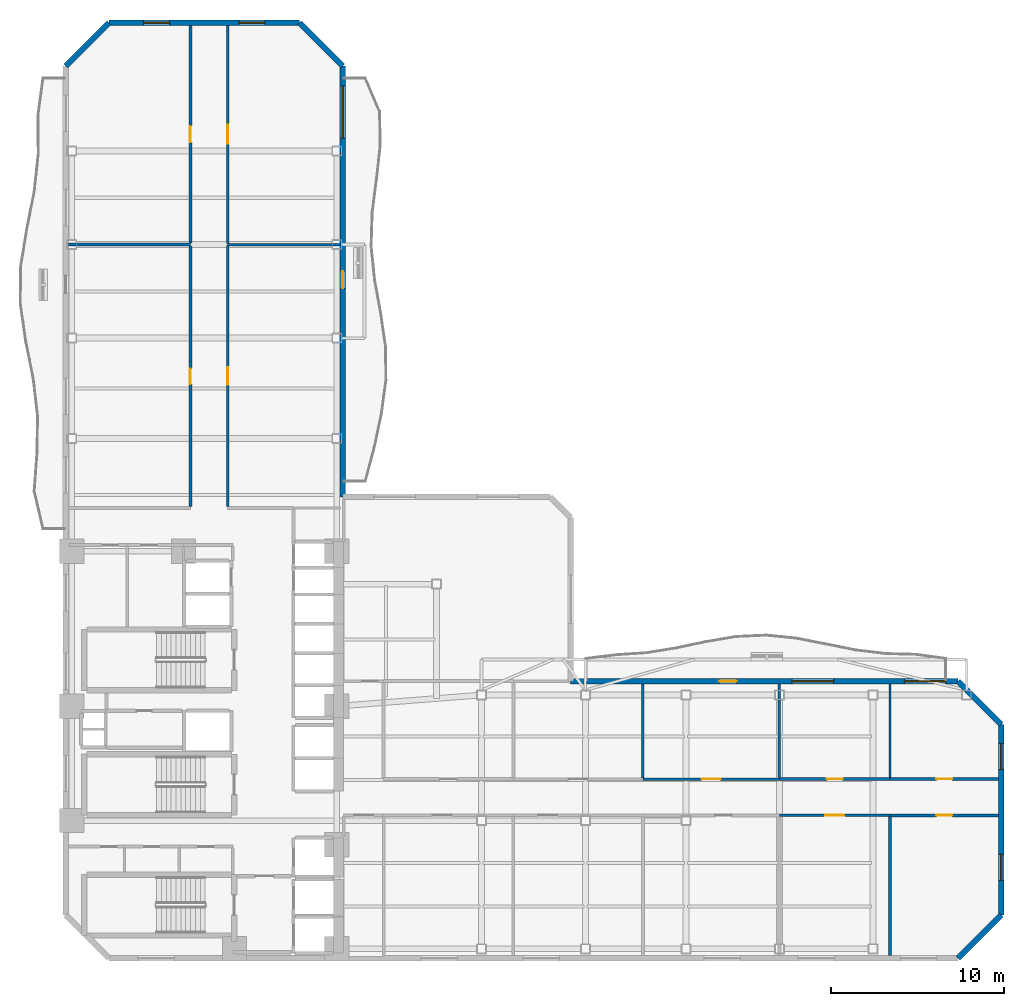
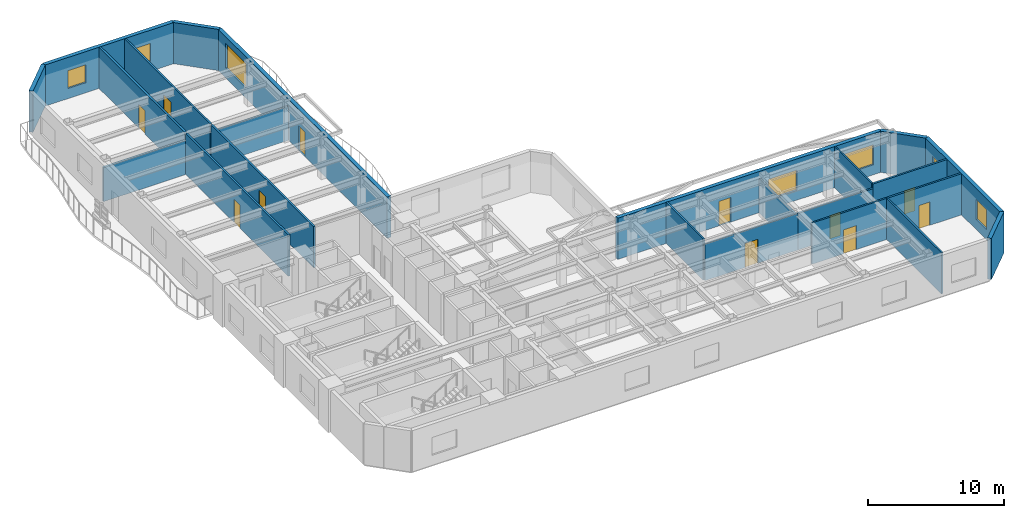
# One storey, part 6 of 10: 23 walls, 11 doors, 7 windows, 18 openings.
"""IFC4 building model written with IfcOpenShell, lengths in metres."""

from ifc_helpers import new_model, si_unit, direction, frame, frame_2d, origin, place, context, subcontext, project, spatial, rectangle, extrude, material, layer, layer_set, type_object, element, fill, save


model = new_model("IFC4")

# Units and contexts
model_context = context("Model", 3, precision=1e-05, world=origin(), true_north=direction((0.0, 1.0)))
body_context = subcontext(model_context, "Body", "Model", "MODEL_VIEW")
ifc_project = project(units=[si_unit("LENGTHUNIT", "METRE"), si_unit("AREAUNIT", "SQUARE_METRE"), si_unit("VOLUMEUNIT", "CUBIC_METRE"), si_unit("PLANEANGLEUNIT", "RADIAN"), si_unit("MASSUNIT", "GRAM", prefix="KILO")], contexts=[model_context])

# Site, building, storey
site_placement = place(None, origin())
site = spatial("IfcSite", under=ifc_project, at=site_placement, CompositionType="ELEMENT")
building_placement = place(site_placement, origin())
building = spatial("IfcBuilding", under=site, at=building_placement, Name="Mawjaban Terraces University", CompositionType="ELEMENT")
storey_placement = place(building_placement, frame((0.0, 0.0, 66.10009765625)))
storey = spatial("IfcBuildingStorey", under=building, at=storey_placement, Name="L15", CompositionType="ELEMENT", Elevation=66.10009765625)

# Wall
ifc_material_1 = material(Name="Acoustic masonry blockwork", Category="masonry")
ifc_layer_1 = layer(ifc_material_1, 0.179931640625)
ifc_layer_set_1 = layer_set([ifc_layer_1], Name="Acoustic masonry blockwork")
wall_type_1 = type_object("IfcWallType", Name="AcousticStudioWall_180", PredefinedType="PARTITIONING", material=ifc_layer_set_1)
wall_1_placement = place(storey_placement, frame((29.199951171875, 41.199951171875, 0.0), z_axis=(0.0, 0.0, 1.0), x_axis=(-1.0, 0.0, 0.0)))
element("IfcWall", 1, at=wall_1_placement, inside=storey, type_object=wall_type_1, Name="L15 Departmental Office 12 Partition 10", PredefinedType="PARTITIONING", context=body_context, shape_type="SweptSolid", body=[
    extrude(rectangle(XDim=7.044921875, YDim=0.179931640625, at=frame_2d((3.5224609375, 0.0))), origin(), (0.0, 0.0, 1.0), 3.054931640625),
])

# Wall, opening, door
wall_2_placement = place(storey_placement, frame((29.199951171875, 53.844970703125, 0.0), z_axis=(0.0, 0.0, 1.0), x_axis=(0.0, -1.0, 0.0)))
wall_2 = element("IfcWall", 2, at=wall_2_placement, inside=storey, type_object=wall_type_1, Name="L15 North Academic Spine Corridor Partition 36", PredefinedType="PARTITIONING", context=body_context, shape_type="SweptSolid", body=[
    extrude(rectangle(XDim=12.56005859375, YDim=0.179931640625, at=frame_2d((6.280029296875, 0.0))), origin(), (0.0, 0.0, 1.0), 3.68994140625),
])
opening_1_placement = place(wall_2_placement, frame((5.804931640625, 0.0, 0.0)))
opening_1 = element("IfcOpeningElement", 3, at=opening_1_placement, cuts=wall_2, Name="Opening ID-095", PredefinedType="OPENING", context=body_context, shape_type="SweptSolid", body=[
    extrude(rectangle(XDim=0.949951171875, YDim=2.10009765625, at=frame_2d((0.47509765625, 1.050048828125))), frame((0.0, 0.099853515625, 0.0), z_axis=(0.0, -1.0, 0.0), x_axis=(1.0, 0.0, 0.0)), (0.0, 0.0, 1.0), 0.199951171875),
])
ifc_material_2 = material(Name="Powder-coated steel frame and solid acoustic timber leaf", Category="steel")
door_type_1 = type_object("IfcDoorType", Name="StudioDoor_950x2100", OperationType="NOTDEFINED", PredefinedType="DOOR", material=ifc_material_2)
door_1_placement = place(opening_1_placement, origin())
door_1 = element("IfcDoor", 4, at=door_1_placement, inside=storey, type_object=door_type_1, Name="L15 Design Studio 14 Door", OperationType="SINGLE_SWING_RIGHT", OverallHeight=2.10009765625, OverallWidth=0.949951171875, PredefinedType="DOOR", context=body_context, shape_type="SweptSolid", body=[
    extrude(rectangle(XDim=0.949951171875, YDim=2.10009765625, at=frame_2d((0.47509765625, 1.050048828125))), frame((0.0, 0.02490234375, 0.0), z_axis=(0.0, -1.0, 0.0), x_axis=(1.0, 0.0, 0.0)), (0.0, 0.0, 1.0), 0.050048828125),
])
fill(opening_1, door_1)

ifc_material_3 = material(Name="Fire-rated gypsum board on steel stud", Category="steel")
ifc_layer_2 = layer(ifc_material_3, 0.159912109375)
ifc_layer_set_2 = layer_set([ifc_layer_2], Name="Fire-rated gypsum board on steel stud")
wall_type_2 = type_object("IfcWallType", Name="CorridorPartition_160", PredefinedType="PARTITIONING", material=ifc_layer_set_2)
wall_3_placement = place(storey_placement, frame((69.580078125, 8.25, 0.0), z_axis=(0.0, 0.0, 1.0), x_axis=(1.0, 0.0, 0.0)))
wall_3 = element("IfcWall", 5, at=wall_3_placement, inside=storey, type_object=wall_type_2, Name="L15 East Academic Spine Corridor Partition 27", PredefinedType="PARTITIONING", context=body_context, shape_type="SweptSolid", body=[
    extrude(rectangle(XDim=6.264892578125, YDim=0.159912109375, at=frame_2d((3.13232421875, 0.0))), origin(), (0.0, 0.0, 1.0), 3.68994140625),
])
opening_2_placement = place(wall_3_placement, frame((2.68310546875, 0.0, 0.0)))
opening_2 = element("IfcOpeningElement", 6, at=opening_2_placement, cuts=wall_3, Name="Opening ID-090", PredefinedType="OPENING", context=body_context, shape_type="SweptSolid", body=[
    extrude(rectangle(XDim=0.89990234375, YDim=2.10009765625, at=frame_2d((0.449951171875, 1.050048828125))), frame((0.0, 0.08984375, 0.0), z_axis=(0.0, -1.0, 0.0), x_axis=(1.0, 0.0, 0.0)), (0.0, 0.0, 1.0), 0.179931640625),
])
door_type_2 = type_object("IfcDoorType", Name="OfficeDoor_900x2100", OperationType="NOTDEFINED", PredefinedType="DOOR", material=ifc_material_2)
door_2_placement = place(opening_2_placement, origin())
door_2 = element("IfcDoor", 7, at=door_2_placement, inside=storey, type_object=door_type_2, Name="L15 Student Tea Pantry 10 Door", OperationType="SINGLE_SWING_RIGHT", OverallHeight=2.10009765625, OverallWidth=0.89990234375, PredefinedType="DOOR", context=body_context, shape_type="SweptSolid", body=[
    extrude(rectangle(XDim=0.89990234375, YDim=2.10009765625, at=frame_2d((0.449951171875, 1.050048828125))), frame((0.0, 0.02490234375, 0.0), z_axis=(0.0, -1.0, 0.0), x_axis=(1.0, 0.0, 0.0)), (0.0, 0.0, 1.0), 0.050048828125),
])
fill(opening_2, door_2)

wall_4_placement = place(storey_placement, frame((69.580078125, 10.35009765625, 0.0), z_axis=(0.0, 0.0, 1.0), x_axis=(-1.0, 0.0, 0.0)))
wall_4 = element("IfcWall", 8, at=wall_4_placement, inside=storey, type_object=wall_type_2, Name="L15 East Academic Spine Corridor Partition 28", PredefinedType="PARTITIONING", context=body_context, shape_type="SweptSolid", body=[
    extrude(rectangle(XDim=6.380126953125, YDim=0.159912109375, at=frame_2d((3.18994140625, 0.0))), origin(), (0.0, 0.0, 1.0), 3.27685546875),
])
opening_3_placement = place(wall_4_placement, frame((2.739990234375, 0.0, 0.0)))
opening_3 = element("IfcOpeningElement", 9, at=opening_3_placement, cuts=wall_4, Name="Opening ID-090", PredefinedType="OPENING", context=body_context, shape_type="SweptSolid", body=[
    extrude(rectangle(XDim=0.89990234375, YDim=2.10009765625, at=frame_2d((0.449951171875, 1.050048828125))), frame((0.0, 0.08984375, 0.0), z_axis=(0.0, -1.0, 0.0), x_axis=(1.0, 0.0, 0.0)), (0.0, 0.0, 1.0), 0.179931640625),
])
door_3_placement = place(opening_3_placement, origin())
door_3 = element("IfcDoor", 10, at=door_3_placement, inside=storey, type_object=door_type_2, Name="L15 Student Tea Pantry 9 Door", OperationType="SINGLE_SWING_LEFT", OverallHeight=2.10009765625, OverallWidth=0.89990234375, PredefinedType="DOOR", context=body_context, shape_type="SweptSolid", body=[
    extrude(rectangle(XDim=0.89990234375, YDim=2.10009765625, at=frame_2d((0.449951171875, 1.050048828125))), frame((0.0, 0.02490234375, 0.0), z_axis=(0.0, -1.0, 0.0), x_axis=(1.0, 0.0, 0.0)), (0.0, 0.0, 1.0), 0.050048828125),
])
fill(opening_3, door_3)

wall_5_placement = place(storey_placement, frame((75.844970703125, 10.35009765625, 0.0), z_axis=(0.0, 0.0, 1.0), x_axis=(-1.0, 0.0, 0.0)))
wall_5 = element("IfcWall", 11, at=wall_5_placement, inside=storey, type_object=wall_type_2, Name="L15 East Academic Spine Corridor Partition 29", PredefinedType="PARTITIONING", context=body_context, shape_type="SweptSolid", body=[
    extrude(rectangle(XDim=6.264892578125, YDim=0.159912109375, at=frame_2d((3.13232421875, 0.0))), origin(), (0.0, 0.0, 1.0), 3.68994140625),
])
opening_4_placement = place(wall_5_placement, frame((2.68310546875, 0.0, 0.0)))
opening_4 = element("IfcOpeningElement", 12, at=opening_4_placement, cuts=wall_5, Name="Opening ID-090", PredefinedType="OPENING", context=body_context, shape_type="SweptSolid", body=[
    extrude(rectangle(XDim=0.89990234375, YDim=2.10009765625, at=frame_2d((0.449951171875, 1.050048828125))), frame((0.0, 0.08984375, 0.0), z_axis=(0.0, -1.0, 0.0), x_axis=(1.0, 0.0, 0.0)), (0.0, 0.0, 1.0), 0.179931640625),
])
door_4_placement = place(opening_4_placement, origin())
door_4 = element("IfcDoor", 13, at=door_4_placement, inside=storey, type_object=door_type_2, Name="L15 Faculty Office 11 Door", OperationType="SINGLE_SWING_LEFT", OverallHeight=2.10009765625, OverallWidth=0.89990234375, PredefinedType="DOOR", context=body_context, shape_type="SweptSolid", body=[
    extrude(rectangle(XDim=0.89990234375, YDim=2.10009765625, at=frame_2d((0.449951171875, 1.050048828125))), frame((0.0, 0.02490234375, 0.0), z_axis=(0.0, -1.0, 0.0), x_axis=(1.0, 0.0, 0.0)), (0.0, 0.0, 1.0), 0.050048828125),
])
fill(opening_4, door_4)

wall_6_placement = place(storey_placement, frame((29.199951171875, 41.114990234375, 0.0), z_axis=(0.0, 0.0, 1.0), x_axis=(0.0, -1.0, 0.0)))
wall_6 = element("IfcWall", 14, at=wall_6_placement, inside=storey, type_object=wall_type_2, Name="L15 North Academic Spine Corridor Partition 35", PredefinedType="PARTITIONING", context=body_context, shape_type="SweptSolid", body=[
    extrude(rectangle(XDim=15.0400390625, YDim=0.159912109375, at=frame_2d((7.52001953125, 0.0))), origin(), (0.0, 0.0, 1.0), 3.68994140625),
])
opening_5_placement = place(wall_6_placement, frame((7.070068359375, 0.0, 0.0)))
opening_5 = element("IfcOpeningElement", 15, at=opening_5_placement, cuts=wall_6, Name="Opening ID-090", PredefinedType="OPENING", context=body_context, shape_type="SweptSolid", body=[
    extrude(rectangle(XDim=0.89990234375, YDim=2.10009765625, at=frame_2d((0.449951171875, 1.050048828125))), frame((0.0, 0.08984375, 0.0), z_axis=(0.0, -1.0, 0.0), x_axis=(1.0, 0.0, 0.0)), (0.0, 0.0, 1.0), 0.179931640625),
])
door_5_placement = place(opening_5_placement, origin())
door_5 = element("IfcDoor", 16, at=door_5_placement, inside=storey, type_object=door_type_2, Name="L15 Departmental Office 12 Door", OperationType="SINGLE_SWING_RIGHT", OverallHeight=2.10009765625, OverallWidth=0.89990234375, PredefinedType="DOOR", context=body_context, shape_type="SweptSolid", body=[
    extrude(rectangle(XDim=0.89990234375, YDim=2.10009765625, at=frame_2d((0.449951171875, 1.050048828125))), frame((0.0, 0.02490234375, 0.0), z_axis=(0.0, -1.0, 0.0), x_axis=(1.0, 0.0, 0.0)), (0.0, 0.0, 1.0), 0.050048828125),
])
fill(opening_5, door_5)

wall_7_placement = place(storey_placement, frame((31.35009765625, 26.074951171875, 0.0), z_axis=(0.0, 0.0, 1.0), x_axis=(0.0, 1.0, 0.0)))
wall_7 = element("IfcWall", 17, at=wall_7_placement, inside=storey, type_object=wall_type_2, Name="L15 North Academic Spine Corridor Partition 37", PredefinedType="PARTITIONING", context=body_context, shape_type="SweptSolid", body=[
    extrude(rectangle(XDim=15.05810546875, YDim=0.159912109375, at=frame_2d((7.529052734375, 0.0))), origin(), (0.0, 0.0, 1.0), 3.68994140625),
])
opening_6_placement = place(wall_7_placement, frame((7.029052734375, 0.0, 0.0)))
opening_6 = element("IfcOpeningElement", 18, at=opening_6_placement, cuts=wall_7, Name="Opening ID-100", PredefinedType="OPENING", context=body_context, shape_type="SweptSolid", body=[
    extrude(rectangle(XDim=1.0, YDim=2.10009765625, at=frame_2d((0.5, 1.050048828125))), frame((0.0, 0.08984375, 0.0), z_axis=(0.0, -1.0, 0.0), x_axis=(1.0, 0.0, 0.0)), (0.0, 0.0, 1.0), 0.179931640625),
])
door_type_3 = type_object("IfcDoorType", Name="ClassroomDoor_1000x2100", OperationType="NOTDEFINED", PredefinedType="DOOR", material=ifc_material_2)
door_6_placement = place(opening_6_placement, origin())
door_6 = element("IfcDoor", 19, at=door_6_placement, inside=storey, type_object=door_type_3, Name="L15 Classroom 13 Door", OperationType="SINGLE_SWING_LEFT", OverallHeight=2.10009765625, OverallWidth=1.0, PredefinedType="DOOR", context=body_context, shape_type="SweptSolid", body=[
    extrude(rectangle(XDim=1.0, YDim=2.10009765625, at=frame_2d((0.5, 1.050048828125))), frame((0.0, 0.02490234375, 0.0), z_axis=(0.0, -1.0, 0.0), x_axis=(1.0, 0.0, 0.0)), (0.0, 0.0, 1.0), 0.050048828125),
])
fill(opening_6, door_6)

# Wall
ifc_material_4 = material(Name="Insulated terracotta rainscreen on concrete backup C40/50", Category="masonry")
ifc_layer_3 = layer(ifc_material_4, 0.320068359375)
ifc_layer_set_3 = layer_set([ifc_layer_3], Name="Insulated terracotta rainscreen on concrete backup C40/50")
wall_type_3 = type_object("IfcWallType", Name="ExtTerracottaWall_320", PredefinedType="SOLIDWALL", material=ifc_layer_set_3)
wall_8_placement = place(storey_placement, frame((73.5, 0.0, 0.0), z_axis=(0.0, 0.0, 1.0), x_axis=(0.707106781187, 0.707106781187, 0.0)))
element("IfcWall", 20, at=wall_8_placement, inside=storey, type_object=wall_type_3, Name="L15 Exterior Terracotta Wall 2", PredefinedType="SOLIDWALL", context=body_context, shape_type="SweptSolid", body=[
    extrude(rectangle(XDim=3.53564453125, YDim=0.320068359375, at=frame_2d((1.767822265625, 0.0))), origin(), (0.0, 0.0, 1.0), 3.68994140625),
])

# Wall, openings, windows
wall_9_placement = place(storey_placement, frame((76.0, 2.5, 0.0), z_axis=(0.0, 0.0, 1.0), x_axis=(0.0, 1.0, 0.0)))
wall_9 = element("IfcWall", 21, at=wall_9_placement, inside=storey, type_object=wall_type_3, Name="L15 Exterior Terracotta Wall 3", PredefinedType="SOLIDWALL", context=body_context, shape_type="SweptSolid", body=[
    extrude(rectangle(XDim=11.0, YDim=0.320068359375, at=frame_2d((5.5, 0.0))), origin(), (0.0, 0.0, 1.0), 3.68994140625),
])
opening_7_placement = place(wall_9_placement, frame((2.0, 0.0, 0.89990234375)))
opening_7 = element("IfcOpeningElement", 22, at=opening_7_placement, cuts=wall_9, Name="Opening W-06", PredefinedType="OPENING", context=body_context, shape_type="SweptSolid", body=[
    extrude(rectangle(XDim=1.5, YDim=1.800048828125, at=frame_2d((0.75, 0.89990234375))), frame((0.0, 0.169921875, 0.0), z_axis=(0.0, -1.0, 0.0), x_axis=(1.0, 0.0, 0.0)), (0.0, 0.0, 1.0), 0.340087890625),
])
opening_8_placement = place(wall_9_placement, frame((8.39990234375, 0.0, 0.89990234375)))
opening_8 = element("IfcOpeningElement", 23, at=opening_8_placement, cuts=wall_9, Name="Opening W-06", PredefinedType="OPENING", context=body_context, shape_type="SweptSolid", body=[
    extrude(rectangle(XDim=1.5, YDim=1.800048828125, at=frame_2d((0.75, 0.89990234375))), frame((0.0, 0.169921875, 0.0), z_axis=(0.0, -1.0, 0.0), x_axis=(1.0, 0.0, 0.0)), (0.0, 0.0, 1.0), 0.340087890625),
])
ifc_material_5 = material(Name="Low-E solar-control double glazing in thermally broken aluminium frame", Category="aluminium")
window_type_1 = type_object("IfcWindowType", Name="Win_1500x1800", PartitioningType="SINGLE_PANEL", PredefinedType="WINDOW", material=ifc_material_5)
window_1_placement = place(opening_7_placement, origin())
window_1 = element("IfcWindow", 24, at=window_1_placement, inside=storey, type_object=window_type_1, Name="L15 Facade Window 3.1", OverallHeight=1.800048828125, OverallWidth=1.5, PartitioningType="SINGLE_PANEL", PredefinedType="WINDOW", context=body_context, shape_type="SweptSolid", body=[
    extrude(rectangle(XDim=1.5, YDim=1.800048828125, at=frame_2d((0.75, 0.89990234375))), frame((0.0, 0.030029296875, 0.0), z_axis=(0.0, -1.0, 0.0), x_axis=(1.0, 0.0, 0.0)), (0.0, 0.0, 1.0), 0.06005859375),
])
fill(opening_7, window_1)
window_2_placement = place(opening_8_placement, origin())
window_2 = element("IfcWindow", 25, at=window_2_placement, inside=storey, type_object=window_type_1, Name="L15 Facade Window 3.2", OverallHeight=1.800048828125, OverallWidth=1.5, PartitioningType="SINGLE_PANEL", PredefinedType="WINDOW", context=body_context, shape_type="SweptSolid", body=[
    extrude(rectangle(XDim=1.5, YDim=1.800048828125, at=frame_2d((0.75, 0.89990234375))), frame((0.0, 0.030029296875, 0.0), z_axis=(0.0, -1.0, 0.0), x_axis=(1.0, 0.0, 0.0)), (0.0, 0.0, 1.0), 0.06005859375),
])
fill(opening_8, window_2)

# Wall
wall_10_placement = place(storey_placement, frame((76.0, 13.5, 0.0), z_axis=(0.0, 0.0, 1.0), x_axis=(-0.707106781187, 0.707106781187, 0.0)))
element("IfcWall", 26, at=wall_10_placement, inside=storey, type_object=wall_type_3, Name="L15 Exterior Terracotta Wall 4", PredefinedType="SOLIDWALL", context=body_context, shape_type="SweptSolid", body=[
    extrude(rectangle(XDim=3.53564453125, YDim=0.320068359375, at=frame_2d((1.767822265625, 0.0))), origin(), (0.0, 0.0, 1.0), 3.68994140625),
])

# Wall, openings, door, windows
wall_11_placement = place(storey_placement, frame((73.5, 16.0, 0.0), z_axis=(0.0, 0.0, 1.0), x_axis=(-1.0, 0.0, 0.0)))
wall_11 = element("IfcWall", 27, at=wall_11_placement, inside=storey, type_object=wall_type_3, Name="L15 Exterior Terracotta Wall 5", PredefinedType="SOLIDWALL", context=body_context, shape_type="SweptSolid", body=[
    extrude(rectangle(XDim=22.35009765625, YDim=0.320068359375, at=frame_2d((11.175048828125, 0.0))), origin(), (0.0, 0.0, 1.0), 3.68994140625),
])
opening_9_placement = place(wall_11_placement, frame((12.77490234375, 0.0, 0.0)))
opening_9 = element("IfcOpeningElement", 28, at=opening_9_placement, cuts=wall_11, Name="Opening BD-100", PredefinedType="OPENING", context=body_context, shape_type="SweptSolid", body=[
    extrude(rectangle(XDim=1.0, YDim=2.199951171875, at=frame_2d((0.5, 1.10009765625))), frame((0.0, 0.169921875, 0.0), z_axis=(0.0, -1.0, 0.0), x_axis=(1.0, 0.0, 0.0)), (0.0, 0.0, 1.0), 0.340087890625),
])
opening_10_placement = place(wall_11_placement, frame((0.694091796875, 0.0, 0.89990234375)))
opening_10 = element("IfcOpeningElement", 29, at=opening_10_placement, cuts=wall_11, Name="Opening W-08", PredefinedType="OPENING", context=body_context, shape_type="SweptSolid", body=[
    extrude(rectangle(XDim=2.39990234375, YDim=1.800048828125, at=frame_2d((1.199951171875, 0.89990234375))), frame((0.0, 0.169921875, 0.0), z_axis=(0.0, -1.0, 0.0), x_axis=(1.0, 0.0, 0.0)), (0.0, 0.0, 1.0), 0.340087890625),
])
opening_11_placement = place(wall_11_placement, frame((7.180908203125, 0.0, 0.89990234375)))
opening_11 = element("IfcOpeningElement", 30, at=opening_11_placement, cuts=wall_11, Name="Opening W-08", PredefinedType="OPENING", context=body_context, shape_type="SweptSolid", body=[
    extrude(rectangle(XDim=2.39990234375, YDim=1.800048828125, at=frame_2d((1.199951171875, 0.89990234375))), frame((0.0, 0.169921875, 0.0), z_axis=(0.0, -1.0, 0.0), x_axis=(1.0, 0.0, 0.0)), (0.0, 0.0, 1.0), 0.340087890625),
])
ifc_material_6 = material(Name="Thermally broken anodised aluminium and laminated safety glass", Category="aluminium")
door_type_4 = type_object("IfcDoorType", Name="BalconyGlazedDoor_1000x2200", OperationType="NOTDEFINED", PredefinedType="DOOR", material=ifc_material_6)
door_7_placement = place(opening_9_placement, origin())
door_7 = element("IfcDoor", 31, at=door_7_placement, inside=storey, type_object=door_type_4, Name="L15 Balcony Access Door inner_north", OperationType="SINGLE_SWING_RIGHT", OverallHeight=2.199951171875, OverallWidth=1.0, PredefinedType="DOOR", context=body_context, shape_type="SweptSolid", body=[
    extrude(rectangle(XDim=1.0, YDim=2.199951171875, at=frame_2d((0.5, 1.10009765625))), frame((0.0, 0.02490234375, 0.0), z_axis=(0.0, -1.0, 0.0), x_axis=(1.0, 0.0, 0.0)), (0.0, 0.0, 1.0), 0.050048828125),
])
fill(opening_9, door_7)
window_type_2 = type_object("IfcWindowType", Name="Win_2400x1800", PartitioningType="SINGLE_PANEL", PredefinedType="WINDOW", material=ifc_material_5)
window_3_placement = place(opening_10_placement, origin())
window_3 = element("IfcWindow", 32, at=window_3_placement, inside=storey, type_object=window_type_2, Name="L15 Facade Window 5.1", OverallHeight=1.800048828125, OverallWidth=2.39990234375, PartitioningType="SINGLE_PANEL", PredefinedType="WINDOW", context=body_context, shape_type="SweptSolid", body=[
    extrude(rectangle(XDim=2.39990234375, YDim=1.800048828125, at=frame_2d((1.199951171875, 0.89990234375))), frame((0.0, 0.030029296875, 0.0), z_axis=(0.0, -1.0, 0.0), x_axis=(1.0, 0.0, 0.0)), (0.0, 0.0, 1.0), 0.06005859375),
])
fill(opening_10, window_3)
window_4_placement = place(opening_11_placement, origin())
window_4 = element("IfcWindow", 33, at=window_4_placement, inside=storey, type_object=window_type_2, Name="L15 Facade Window 5.2", OverallHeight=1.800048828125, OverallWidth=2.39990234375, PartitioningType="SINGLE_PANEL", PredefinedType="WINDOW", context=body_context, shape_type="SweptSolid", body=[
    extrude(rectangle(XDim=2.39990234375, YDim=1.800048828125, at=frame_2d((1.199951171875, 0.89990234375))), frame((0.0, 0.030029296875, 0.0), z_axis=(0.0, -1.0, 0.0), x_axis=(1.0, 0.0, 0.0)), (0.0, 0.0, 1.0), 0.06005859375),
])
fill(opening_11, window_4)

# Wall, openings, door, window
wall_12_placement = place(storey_placement, frame((38.0, 26.64208984375, 0.0), z_axis=(0.0, 0.0, 1.0), x_axis=(0.0, 1.0, 0.0)))
wall_12 = element("IfcWall", 34, at=wall_12_placement, inside=storey, type_object=wall_type_3, Name="L15 Exterior Terracotta Wall 9", PredefinedType="SOLIDWALL", context=body_context, shape_type="SweptSolid", body=[
    extrude(rectangle(XDim=24.85791015625, YDim=0.320068359375, at=frame_2d((12.428955078125, 0.0))), origin(), (0.0, 0.0, 1.0), 3.68994140625),
])
opening_12_placement = place(wall_12_placement, frame((12.029052734375, 0.0, 0.0)))
opening_12 = element("IfcOpeningElement", 35, at=opening_12_placement, cuts=wall_12, Name="Opening BD-100", PredefinedType="OPENING", context=body_context, shape_type="SweptSolid", body=[
    extrude(rectangle(XDim=1.0, YDim=2.199951171875, at=frame_2d((0.5, 1.10009765625))), frame((0.0, 0.169921875, 0.0), z_axis=(0.0, -1.0, 0.0), x_axis=(1.0, 0.0, 0.0)), (0.0, 0.0, 1.0), 0.340087890625),
])
opening_13_placement = place(wall_12_placement, frame((20.700927734375, 0.0, 0.89990234375)))
opening_13 = element("IfcOpeningElement", 36, at=opening_13_placement, cuts=wall_12, Name="Opening W-12", PredefinedType="OPENING", context=body_context, shape_type="SweptSolid", body=[
    extrude(rectangle(XDim=3.0, YDim=2.199951171875, at=frame_2d((1.5, 1.10009765625))), frame((0.0, 0.169921875, 0.0), z_axis=(0.0, -1.0, 0.0), x_axis=(1.0, 0.0, 0.0)), (0.0, 0.0, 1.0), 0.340087890625),
])
door_8_placement = place(opening_12_placement, origin())
door_8 = element("IfcDoor", 37, at=door_8_placement, inside=storey, type_object=door_type_4, Name="L15 Balcony Access Door inner_east", OperationType="SINGLE_SWING_RIGHT", OverallHeight=2.199951171875, OverallWidth=1.0, PredefinedType="DOOR", context=body_context, shape_type="SweptSolid", body=[
    extrude(rectangle(XDim=1.0, YDim=2.199951171875, at=frame_2d((0.5, 1.10009765625))), frame((0.0, 0.02490234375, 0.0), z_axis=(0.0, -1.0, 0.0), x_axis=(1.0, 0.0, 0.0)), (0.0, 0.0, 1.0), 0.050048828125),
])
fill(opening_12, door_8)
window_type_3 = type_object("IfcWindowType", Name="Win_3000x2200", PartitioningType="SINGLE_PANEL", PredefinedType="WINDOW", material=ifc_material_5)
window_5_placement = place(opening_13_placement, origin())
window_5 = element("IfcWindow", 38, at=window_5_placement, inside=storey, type_object=window_type_3, Name="L15 Facade Window 9.4", OverallHeight=2.199951171875, OverallWidth=3.0, PartitioningType="SINGLE_PANEL", PredefinedType="WINDOW", context=body_context, shape_type="SweptSolid", body=[
    extrude(rectangle(XDim=3.0, YDim=2.199951171875, at=frame_2d((1.5, 1.10009765625))), frame((0.0, 0.030029296875, 0.0), z_axis=(0.0, -1.0, 0.0), x_axis=(1.0, 0.0, 0.0)), (0.0, 0.0, 1.0), 0.06005859375),
])
fill(opening_13, window_5)

# Wall
wall_13_placement = place(storey_placement, frame((38.0, 51.5, 0.0), z_axis=(0.0, 0.0, 1.0), x_axis=(-0.707106781187, 0.707106781187, 0.0)))
element("IfcWall", 39, at=wall_13_placement, inside=storey, type_object=wall_type_3, Name="L15 Exterior Terracotta Wall 10", PredefinedType="SOLIDWALL", context=body_context, shape_type="SweptSolid", body=[
    extrude(rectangle(XDim=3.53564453125, YDim=0.320068359375, at=frame_2d((1.767822265625, 0.0))), origin(), (0.0, 0.0, 1.0), 3.68994140625),
])

# Wall, openings, windows
wall_14_placement = place(storey_placement, frame((35.5, 54.0, 0.0), z_axis=(0.0, 0.0, 1.0), x_axis=(-1.0, 0.0, 0.0)))
wall_14 = element("IfcWall", 40, at=wall_14_placement, inside=storey, type_object=wall_type_3, Name="L15 Exterior Terracotta Wall 11", PredefinedType="SOLIDWALL", context=body_context, shape_type="SweptSolid", body=[
    extrude(rectangle(XDim=11.0, YDim=0.320068359375, at=frame_2d((5.5, 0.0))), origin(), (0.0, 0.0, 1.0), 3.68994140625),
])
opening_14_placement = place(wall_14_placement, frame((2.0, 0.0, 0.89990234375)))
opening_14 = element("IfcOpeningElement", 41, at=opening_14_placement, cuts=wall_14, Name="Opening W-02", PredefinedType="OPENING", context=body_context, shape_type="SweptSolid", body=[
    extrude(rectangle(XDim=1.5, YDim=1.60009765625, at=frame_2d((0.75, 0.800048828125))), frame((0.0, 0.169921875, 0.0), z_axis=(0.0, -1.0, 0.0), x_axis=(1.0, 0.0, 0.0)), (0.0, 0.0, 1.0), 0.340087890625),
])
opening_15_placement = place(wall_14_placement, frame((7.5, 0.0, 0.89990234375)))
opening_15 = element("IfcOpeningElement", 42, at=opening_15_placement, cuts=wall_14, Name="Opening W-02", PredefinedType="OPENING", context=body_context, shape_type="SweptSolid", body=[
    extrude(rectangle(XDim=1.5, YDim=1.60009765625, at=frame_2d((0.75, 0.800048828125))), frame((0.0, 0.169921875, 0.0), z_axis=(0.0, -1.0, 0.0), x_axis=(1.0, 0.0, 0.0)), (0.0, 0.0, 1.0), 0.340087890625),
])
window_type_4 = type_object("IfcWindowType", Name="Win_1500x1600", PartitioningType="SINGLE_PANEL", PredefinedType="WINDOW", material=ifc_material_5)
window_6_placement = place(opening_14_placement, origin())
window_6 = element("IfcWindow", 43, at=window_6_placement, inside=storey, type_object=window_type_4, Name="L15 Facade Window 11.1", OverallHeight=1.60009765625, OverallWidth=1.5, PartitioningType="SINGLE_PANEL", PredefinedType="WINDOW", context=body_context, shape_type="SweptSolid", body=[
    extrude(rectangle(XDim=1.5, YDim=1.60009765625, at=frame_2d((0.75, 0.800048828125))), frame((0.0, 0.030029296875, 0.0), z_axis=(0.0, -1.0, 0.0), x_axis=(1.0, 0.0, 0.0)), (0.0, 0.0, 1.0), 0.06005859375),
])
fill(opening_14, window_6)
window_7_placement = place(opening_15_placement, origin())
window_7 = element("IfcWindow", 44, at=window_7_placement, inside=storey, type_object=window_type_4, Name="L15 Facade Window 11.2", OverallHeight=1.60009765625, OverallWidth=1.5, PartitioningType="SINGLE_PANEL", PredefinedType="WINDOW", context=body_context, shape_type="SweptSolid", body=[
    extrude(rectangle(XDim=1.5, YDim=1.60009765625, at=frame_2d((0.75, 0.800048828125))), frame((0.0, 0.030029296875, 0.0), z_axis=(0.0, -1.0, 0.0), x_axis=(1.0, 0.0, 0.0)), (0.0, 0.0, 1.0), 0.06005859375),
])
fill(opening_15, window_7)

# Walls
wall_15_placement = place(storey_placement, frame((24.5, 54.0, 0.0), z_axis=(0.0, 0.0, 1.0), x_axis=(-0.707106781187, -0.707106781187, 0.0)))
element("IfcWall", 45, at=wall_15_placement, inside=storey, type_object=wall_type_3, Name="L15 Exterior Terracotta Wall 12", PredefinedType="SOLIDWALL", context=body_context, shape_type="SweptSolid", body=[
    extrude(rectangle(XDim=3.53564453125, YDim=0.320068359375, at=frame_2d((1.767822265625, 0.0))), origin(), (0.0, 0.0, 1.0), 3.68994140625),
])
ifc_material_7 = material(Name="Moisture-resistant gypsum board on steel stud", Category="steel")
ifc_layer_4 = layer(ifc_material_7, 0.14501953125)
ifc_layer_set_4 = layer_set([ifc_layer_4], Name="Moisture-resistant gypsum board on steel stud")
wall_type_4 = type_object("IfcWallType", Name="LabPartition_145", PredefinedType="PARTITIONING", material=ifc_layer_set_4)
wall_16_placement = place(storey_placement, frame((37.844970703125, 41.199951171875, 0.0), z_axis=(0.0, 0.0, 1.0), x_axis=(-1.0, 0.0, 0.0)))
element("IfcWall", 46, at=wall_16_placement, inside=storey, type_object=wall_type_4, Name="L15 Classroom 13 Partition 15", PredefinedType="PARTITIONING", context=body_context, shape_type="SweptSolid", body=[
    extrude(rectangle(XDim=6.494873046875, YDim=0.14501953125, at=frame_2d((3.24755859375, 0.0))), origin(), (0.0, 0.0, 1.0), 3.054931640625),
])

# Wall, opening, door
wall_17_placement = place(storey_placement, frame((63.199951171875, 8.25, 0.0), z_axis=(0.0, 0.0, 1.0), x_axis=(1.0, 0.0, 0.0)))
wall_17 = element("IfcWall", 47, at=wall_17_placement, inside=storey, type_object=wall_type_4, Name="L15 East Academic Spine Corridor Partition 25", PredefinedType="PARTITIONING", context=body_context, shape_type="SweptSolid", body=[
    extrude(rectangle(XDim=6.380126953125, YDim=0.14501953125, at=frame_2d((3.18994140625, 0.0))), origin(), (0.0, 0.0, 1.0), 3.68994140625),
])
opening_16_placement = place(wall_17_placement, frame((2.639892578125, 0.0, 0.0)))
opening_16 = element("IfcOpeningElement", 48, at=opening_16_placement, cuts=wall_17, Name="Opening ID-110", PredefinedType="OPENING", context=body_context, shape_type="SweptSolid", body=[
    extrude(rectangle(XDim=1.10009765625, YDim=2.14990234375, at=frame_2d((0.550048828125, 1.074951171875))), frame((0.0, 0.08251953125, 0.0), z_axis=(0.0, -1.0, 0.0), x_axis=(1.0, 0.0, 0.0)), (0.0, 0.0, 1.0), 0.1650390625),
])
door_type_5 = type_object("IfcDoorType", Name="LabDoor_1100x2150", OperationType="NOTDEFINED", PredefinedType="DOOR", material=ifc_material_2)
door_9_placement = place(opening_16_placement, origin())
door_9 = element("IfcDoor", 49, at=door_9_placement, inside=storey, type_object=door_type_5, Name="L15 Teaching Laboratory 8 Door", OperationType="SINGLE_SWING_RIGHT", OverallHeight=2.14990234375, OverallWidth=1.10009765625, PredefinedType="DOOR", context=body_context, shape_type="SweptSolid", body=[
    extrude(rectangle(XDim=1.10009765625, YDim=2.14990234375, at=frame_2d((0.550048828125, 1.074951171875))), frame((0.0, 0.02490234375, 0.0), z_axis=(0.0, -1.0, 0.0), x_axis=(1.0, 0.0, 0.0)), (0.0, 0.0, 1.0), 0.050048828125),
])
fill(opening_16, door_9)

wall_18_placement = place(storey_placement, frame((63.199951171875, 10.35009765625, 0.0), z_axis=(0.0, 0.0, 1.0), x_axis=(-1.0, 0.0, 0.0)))
wall_18 = element("IfcWall", 50, at=wall_18_placement, inside=storey, type_object=wall_type_4, Name="L15 East Academic Spine Corridor Partition 26", PredefinedType="PARTITIONING", context=body_context, shape_type="SweptSolid", body=[
    extrude(rectangle(XDim=7.8798828125, YDim=0.14501953125, at=frame_2d((3.93994140625, 0.0))), origin(), (0.0, 0.0, 1.0), 3.27685546875),
])
opening_17_placement = place(wall_18_placement, frame((3.389892578125, 0.0, 0.0)))
opening_17 = element("IfcOpeningElement", 51, at=opening_17_placement, cuts=wall_18, Name="Opening ID-110", PredefinedType="OPENING", context=body_context, shape_type="SweptSolid", body=[
    extrude(rectangle(XDim=1.10009765625, YDim=2.14990234375, at=frame_2d((0.550048828125, 1.074951171875))), frame((0.0, 0.08251953125, 0.0), z_axis=(0.0, -1.0, 0.0), x_axis=(1.0, 0.0, 0.0)), (0.0, 0.0, 1.0), 0.1650390625),
])
door_10_placement = place(opening_17_placement, origin())
door_10 = element("IfcDoor", 52, at=door_10_placement, inside=storey, type_object=door_type_5, Name="L15 Computational Laboratory 7 Door", OperationType="SINGLE_SWING_LEFT", OverallHeight=2.14990234375, OverallWidth=1.10009765625, PredefinedType="DOOR", context=body_context, shape_type="SweptSolid", body=[
    extrude(rectangle(XDim=1.10009765625, YDim=2.14990234375, at=frame_2d((0.550048828125, 1.074951171875))), frame((0.0, 0.02490234375, 0.0), z_axis=(0.0, -1.0, 0.0), x_axis=(1.0, 0.0, 0.0)), (0.0, 0.0, 1.0), 0.050048828125),
])
fill(opening_17, door_10)

wall_19_placement = place(storey_placement, frame((31.35009765625, 41.26806640625, 0.0), z_axis=(0.0, 0.0, 1.0), x_axis=(0.0, 1.0, 0.0)))
wall_19 = element("IfcWall", 53, at=wall_19_placement, inside=storey, type_object=wall_type_4, Name="L15 North Academic Spine Corridor Partition 38", PredefinedType="PARTITIONING", context=body_context, shape_type="SweptSolid", body=[
    extrude(rectangle(XDim=12.576904296875, YDim=0.14501953125, at=frame_2d((6.28857421875, 0.0))), origin(), (0.0, 0.0, 1.0), 3.68994140625),
])
opening_18_placement = place(wall_19_placement, frame((5.738037109375, 0.0, 0.0)))
opening_18 = element("IfcOpeningElement", 54, at=opening_18_placement, cuts=wall_19, Name="Opening ID-110", PredefinedType="OPENING", context=body_context, shape_type="SweptSolid", body=[
    extrude(rectangle(XDim=1.10009765625, YDim=2.14990234375, at=frame_2d((0.550048828125, 1.074951171875))), frame((0.0, 0.08251953125, 0.0), z_axis=(0.0, -1.0, 0.0), x_axis=(1.0, 0.0, 0.0)), (0.0, 0.0, 1.0), 0.1650390625),
])
door_11_placement = place(opening_18_placement, origin())
door_11 = element("IfcDoor", 55, at=door_11_placement, inside=storey, type_object=door_type_5, Name="L15 Computational Laboratory 15 Door", OperationType="SINGLE_SWING_LEFT", OverallHeight=2.14990234375, OverallWidth=1.10009765625, PredefinedType="DOOR", context=body_context, shape_type="SweptSolid", body=[
    extrude(rectangle(XDim=1.10009765625, YDim=2.14990234375, at=frame_2d((0.550048828125, 1.074951171875))), frame((0.0, 0.02490234375, 0.0), z_axis=(0.0, -1.0, 0.0), x_axis=(1.0, 0.0, 0.0)), (0.0, 0.0, 1.0), 0.050048828125),
])
fill(opening_18, door_11)

# Walls
wall_20_placement = place(storey_placement, frame((55.320068359375, 10.41796875, 0.0), z_axis=(0.0, 0.0, 1.0), x_axis=(0.0, 1.0, 0.0)))
element("IfcWall", 56, at=wall_20_placement, inside=storey, type_object=wall_type_4, Name="L15 Teaching Laboratory 5 Partition 49", PredefinedType="PARTITIONING", context=body_context, shape_type="SweptSolid", body=[
    extrude(rectangle(XDim=5.427001953125, YDim=0.14501953125, at=frame_2d((2.71337890625, 0.0))), origin(), (0.0, 0.0, 1.0), 3.68994140625),
])
wall_21_placement = place(storey_placement, frame((63.199951171875, 10.425048828125, 0.0), z_axis=(0.0, 0.0, 1.0), x_axis=(0.0, 1.0, 0.0)))
element("IfcWall", 57, at=wall_21_placement, inside=storey, type_object=wall_type_4, Name="L15 Computational Laboratory 7 Partition 51", PredefinedType="PARTITIONING", context=body_context, shape_type="SweptSolid", body=[
    extrude(rectangle(XDim=5.419921875, YDim=0.14501953125, at=frame_2d((2.7099609375, 0.0))), origin(), (0.0, 0.0, 1.0), 3.054931640625),
])
wall_22_placement = place(storey_placement, frame((69.580078125, 0.155029296875, 0.0), z_axis=(0.0, 0.0, 1.0), x_axis=(0.0, 1.0, 0.0)))
element("IfcWall", 58, at=wall_22_placement, inside=storey, type_object=wall_type_4, Name="L15 Teaching Laboratory 8 Partition 52", PredefinedType="PARTITIONING", context=body_context, shape_type="SweptSolid", body=[
    extrude(rectangle(XDim=8.02001953125, YDim=0.14501953125, at=frame_2d((4.010009765625, 0.0))), origin(), (0.0, 0.0, 1.0), 3.68994140625),
])
ifc_material_8 = material(Name="Gypsum plasterboard on steel stud", Category="steel")
ifc_layer_5 = layer(ifc_material_8, 0.125)
ifc_layer_set_5 = layer_set([ifc_layer_5], Name="Gypsum plasterboard on steel stud")
wall_type_5 = type_object("IfcWallType", Name="OfficePartition_125", PredefinedType="PARTITIONING", material=ifc_layer_set_5)
wall_23_placement = place(storey_placement, frame((69.580078125, 10.425048828125, 0.0), z_axis=(0.0, 0.0, 1.0), x_axis=(0.0, 1.0, 0.0)))
element("IfcWall", 59, at=wall_23_placement, inside=storey, type_object=wall_type_5, Name="L15 Student Tea Pantry 9 Partition 53", PredefinedType="PARTITIONING", context=body_context, shape_type="SweptSolid", body=[
    extrude(rectangle(XDim=5.419921875, YDim=0.125, at=frame_2d((2.7099609375, 0.0))), origin(), (0.0, 0.0, 1.0), 3.68994140625),
])

save(model, "model.ifc")
